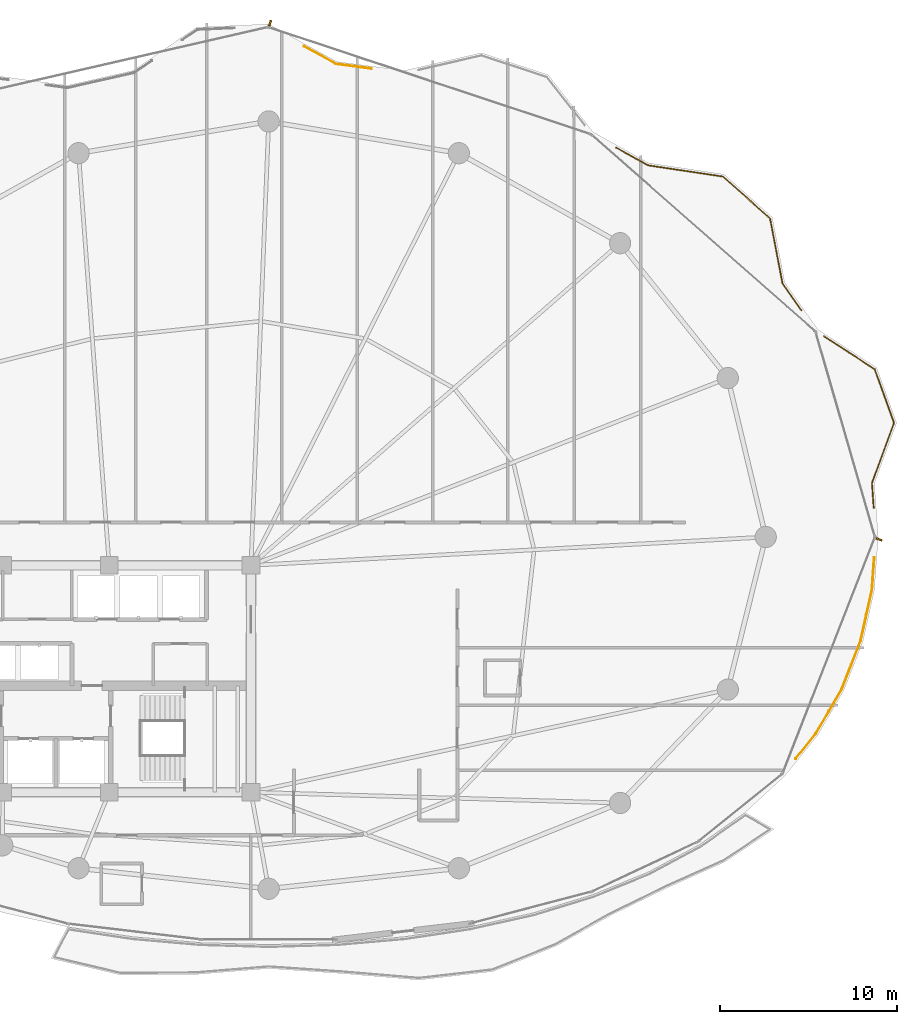
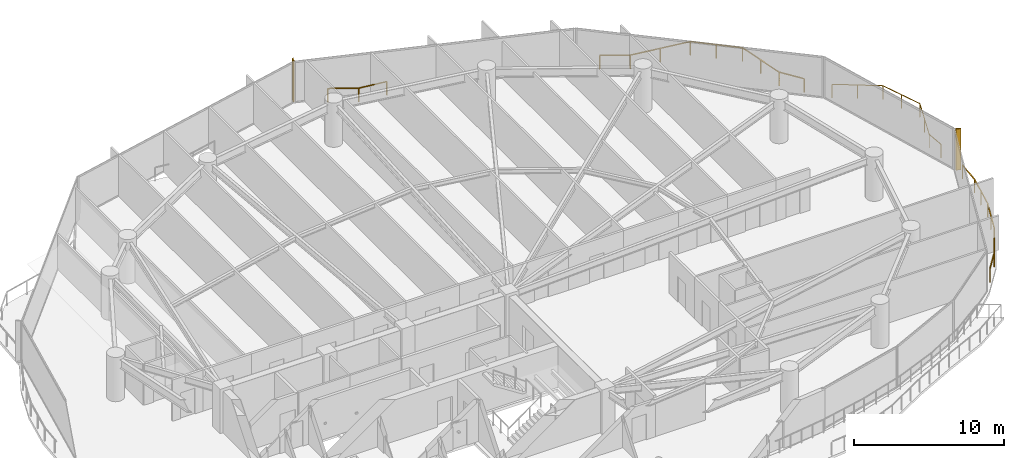
# One storey, part 34 of 34: 4 railings, 2 shading devices.
"""IFC4 building model written with IfcOpenShell, lengths in metres."""

from ifc_helpers import new_model, si_unit, direction, frame, origin, origin_2d, place, context, subcontext, project, spatial, rectangle, extrude, material, type_object, element, save


model = new_model("IFC4")

# Units and contexts
model_context = context("Model", 3, precision=1e-05, world=origin(), true_north=direction((0.0, 1.0)))
body_context = subcontext(model_context, "Body", "Model", "MODEL_VIEW")
ifc_project = project(units=[si_unit("LENGTHUNIT", "METRE"), si_unit("AREAUNIT", "SQUARE_METRE"), si_unit("VOLUMEUNIT", "CUBIC_METRE"), si_unit("PLANEANGLEUNIT", "RADIAN"), si_unit("MASSUNIT", "GRAM", prefix="KILO")], contexts=[model_context])

# Site, building, storey
site_placement = place(None, origin())
site = spatial("IfcSite", under=ifc_project, at=site_placement, CompositionType="ELEMENT")
building_placement = place(site_placement, origin())
building = spatial("IfcBuilding", under=site, at=building_placement, Name="Kazevale Care Tower and Concert Hall", CompositionType="ELEMENT")
storey_placement = place(building_placement, frame((0.0, 0.0, 167.39990234375)))
storey = spatial("IfcBuildingStorey", under=building, at=storey_placement, Name="L44", CompositionType="ELEMENT", Elevation=167.39990234375)

# Railings
ifc_material_1 = material(Name="Anodised Bronze Aluminium and Laminated Glass", Category="aluminium")
railing_type = type_object("IfcRailingType", Name="Balcony and Terrace Balustrade 1120", PredefinedType="BALUSTRADE", material=ifc_material_1)
railing_1_placement = place(storey_placement, frame((46.9970703125, 65.69091796875, 0.0)))
element("IfcRailing", 1, at=railing_1_placement, inside=storey, type_object=railing_type, Name="rail:L44:perim:7", PredefinedType="BALUSTRADE", context=body_context, shape_type="SweptSolid", body=[
    extrude(rectangle(XDim=0.048095703125, YDim=0.048095703125, at=origin_2d()), frame((0.0, 0.0, 1.09619140625), z_axis=(0.87612356574, -0.482086607939, 0.0), x_axis=(0.482086607939, 0.87612356574, 0.0)), (0.0, 0.0, 1.0), 2.065673828125),
    extrude(rectangle(XDim=0.048095703125, YDim=0.048095703125, at=origin_2d()), frame((1.809814453125, -0.995849609375, 1.09619140625), z_axis=(0.991221543474, -0.132211390405, 0.0), x_axis=(0.132211390405, 0.991221543474, 0.0)), (0.0, 0.0, 1.0), 2.0126953125),
    extrude(rectangle(XDim=0.0419921875, YDim=0.0419921875, at=origin_2d()), origin(), (0.0, 0.0, 1.0), 1.072021484375),
    extrude(rectangle(XDim=0.0419921875, YDim=0.0419921875, at=origin_2d()), frame((1.809814453125, -0.995849609375, 0.0)), (0.0, 0.0, 1.0), 1.072021484375),
    extrude(rectangle(XDim=0.0419921875, YDim=0.0419921875, at=origin_2d()), frame((3.804931640625, -1.261962890625, 0.0)), (0.0, 0.0, 1.0), 1.072021484375),
])
railing_2_placement = place(storey_placement, frame((64.614990234375, 59.969970703125, 0.0)))
element("IfcRailing", 2, at=railing_2_placement, inside=storey, type_object=railing_type, Name="rail:L44:perim:9", PredefinedType="BALUSTRADE", context=body_context, shape_type="SweptSolid", body=[
    extrude(rectangle(XDim=0.048095703125, YDim=0.048095703125, at=origin_2d()), frame((0.0, 0.0, 1.09619140625), z_axis=(0.873734672104, -0.486402840003, 0.0), x_axis=(0.486402840003, 0.873734672104, 0.0)), (0.0, 0.0, 1.0), 2.04541015625),
    extrude(rectangle(XDim=0.048095703125, YDim=0.048095703125, at=origin_2d()), frame((1.787109375, -0.994873046875, 1.09619140625), z_axis=(0.988889933801, -0.148649584013, 0.0), x_axis=(0.148649584013, 0.988889933801, 0.0)), (0.0, 0.0, 1.0), 4.28662109375),
    extrude(rectangle(XDim=0.048095703125, YDim=0.048095703125, at=origin_2d()), frame((6.026123046875, -1.632080078125, 1.09619140625), z_axis=(0.746657358329, -0.66520883131, 0.0), x_axis=(0.66520883131, 0.746657358329, 0.0)), (0.0, 0.0, 1.0), 3.549072265625),
    extrude(rectangle(XDim=0.048095703125, YDim=0.048095703125, at=origin_2d()), frame((8.676025390625, -3.992919921875, 1.09619140625), z_axis=(0.188517658656, -0.982069800154, 0.0), x_axis=(0.982069800154, 0.188517658656, 0.0)), (0.0, 0.0, 1.0), 3.73486328125),
    extrude(rectangle(XDim=0.048095703125, YDim=0.048095703125, at=origin_2d()), frame((9.380126953125, -7.660888671875, 1.09619140625), z_axis=(0.575885416581, -0.817530419599, 0.0), x_axis=(0.817530419599, 0.575885416581, 0.0)), (0.0, 0.0, 1.0), 1.850830078125),
    extrude(rectangle(XDim=0.0419921875, YDim=0.0419921875, at=origin_2d()), origin(), (0.0, 0.0, 1.0), 1.072021484375),
    extrude(rectangle(XDim=0.0419921875, YDim=0.0419921875, at=origin_2d()), frame((1.787109375, -0.994873046875, 0.0)), (0.0, 0.0, 1.0), 1.072021484375),
    extrude(rectangle(XDim=0.0419921875, YDim=0.0419921875, at=origin_2d()), frame((3.90673828125, -1.3134765625, 0.0)), (0.0, 0.0, 1.0), 1.072021484375),
    extrude(rectangle(XDim=0.0419921875, YDim=0.0419921875, at=origin_2d()), frame((6.026123046875, -1.632080078125, 0.0)), (0.0, 0.0, 1.0), 1.072021484375),
    extrude(rectangle(XDim=0.0419921875, YDim=0.0419921875, at=origin_2d()), frame((7.35107421875, -2.8125, 0.0)), (0.0, 0.0, 1.0), 1.072021484375),
    extrude(rectangle(XDim=0.0419921875, YDim=0.0419921875, at=origin_2d()), frame((8.676025390625, -3.992919921875, 0.0)), (0.0, 0.0, 1.0), 1.072021484375),
    extrude(rectangle(XDim=0.0419921875, YDim=0.0419921875, at=origin_2d()), frame((9.028076171875, -5.826904296875, 0.0)), (0.0, 0.0, 1.0), 1.072021484375),
    extrude(rectangle(XDim=0.0419921875, YDim=0.0419921875, at=origin_2d()), frame((9.380126953125, -7.660888671875, 0.0)), (0.0, 0.0, 1.0), 1.072021484375),
    extrude(rectangle(XDim=0.0419921875, YDim=0.0419921875, at=origin_2d()), frame((10.446044921875, -9.174072265625, 0.0)), (0.0, 0.0, 1.0), 1.072021484375),
])
railing_3_placement = place(storey_placement, frame((79.176025390625, 36.844970703125, 0.0)))
element("IfcRailing", 3, at=railing_3_placement, inside=storey, type_object=railing_type, Name="rail:L44:perim:10", PredefinedType="BALUSTRADE", context=body_context, shape_type="SweptSolid", body=[
    extrude(rectangle(XDim=0.048095703125, YDim=0.048095703125, at=origin_2d()), frame((0.0, 0.0, 1.09619140625), z_axis=(-0.071578588161, -0.997434963151, 0.0), x_axis=(0.997434963151, -0.071578588161, 0.0)), (0.0, 0.0, 1.0), 1.83154296875),
    extrude(rectangle(XDim=0.048095703125, YDim=0.048095703125, at=origin_2d()), frame((-0.131103515625, -1.826904296875, 1.09619140625), z_axis=(-0.217745961145, -0.9760054797, 0.0), x_axis=(0.9760054797, -0.217745961145, 0.0)), (0.0, 0.0, 1.0), 2.94775390625),
    extrude(rectangle(XDim=0.048095703125, YDim=0.048095703125, at=origin_2d()), frame((-0.77294921875, -4.703857421875, 1.09619140625), z_axis=(-0.363468066155, -0.931606657815, 0.0), x_axis=(0.931606657815, -0.363468066155, 0.0)), (0.0, 0.0, 1.0), 2.91650390625),
    extrude(rectangle(XDim=0.048095703125, YDim=0.048095703125, at=origin_2d()), frame((-1.8330078125, -7.4208984375, 1.09619140625), z_axis=(-0.502610267332, -0.864513111047, 0.0), x_axis=(0.864513111047, -0.502610267332, 0.0)), (0.0, 0.0, 1.0), 2.9150390625),
    extrude(rectangle(XDim=0.048095703125, YDim=0.048095703125, at=origin_2d()), frame((-3.298095703125, -9.94091796875, 1.09619140625), z_axis=(-0.628318296441, -0.777956373043, 0.0), x_axis=(0.777956373043, -0.628318296441, 0.0)), (0.0, 0.0, 1.0), 1.812744140625),
    extrude(rectangle(XDim=0.0419921875, YDim=0.0419921875, at=origin_2d()), origin(), (0.0, 0.0, 1.0), 1.072021484375),
    extrude(rectangle(XDim=0.0419921875, YDim=0.0419921875, at=origin_2d()), frame((-0.131103515625, -1.826904296875, 0.0)), (0.0, 0.0, 1.0), 1.072021484375),
    extrude(rectangle(XDim=0.0419921875, YDim=0.0419921875, at=origin_2d()), frame((-0.4521484375, -3.265380859375, 0.0)), (0.0, 0.0, 1.0), 1.072021484375),
    extrude(rectangle(XDim=0.0419921875, YDim=0.0419921875, at=origin_2d()), frame((-0.77294921875, -4.703857421875, 0.0)), (0.0, 0.0, 1.0), 1.072021484375),
    extrude(rectangle(XDim=0.0419921875, YDim=0.0419921875, at=origin_2d()), frame((-1.302978515625, -6.0625, 0.0)), (0.0, 0.0, 1.0), 1.072021484375),
    extrude(rectangle(XDim=0.0419921875, YDim=0.0419921875, at=origin_2d()), frame((-1.8330078125, -7.4208984375, 0.0)), (0.0, 0.0, 1.0), 1.072021484375),
    extrude(rectangle(XDim=0.0419921875, YDim=0.0419921875, at=origin_2d()), frame((-2.5654296875, -8.680908203125, 0.0)), (0.0, 0.0, 1.0), 1.072021484375),
    extrude(rectangle(XDim=0.0419921875, YDim=0.0419921875, at=origin_2d()), frame((-3.298095703125, -9.94091796875, 0.0)), (0.0, 0.0, 1.0), 1.072021484375),
    extrude(rectangle(XDim=0.0419921875, YDim=0.0419921875, at=origin_2d()), frame((-4.43701171875, -11.35107421875, 0.0)), (0.0, 0.0, 1.0), 1.072021484375),
])
railing_4_placement = place(storey_placement, frame((76.3359375, 49.324951171875, 0.0)))
element("IfcRailing", 4, at=railing_4_placement, inside=storey, type_object=railing_type, Name="rail:L44:perim:11", PredefinedType="BALUSTRADE", context=body_context, shape_type="SweptSolid", body=[
    extrude(rectangle(XDim=0.048095703125, YDim=0.048095703125, at=origin_2d()), frame((0.0, 0.0, 1.09619140625), z_axis=(0.838906479955, -0.544275590018, 0.0), x_axis=(0.544275590018, 0.838906479955, 0.0)), (0.0, 0.0, 1.0), 3.408203125),
    extrude(rectangle(XDim=0.048095703125, YDim=0.048095703125, at=origin_2d()), frame((2.859130859375, -1.85498046875, 1.09619140625), z_axis=(0.340056192401, -0.940405118026, 0.0), x_axis=(0.940405118026, 0.340056192401, 0.0)), (0.0, 0.0, 1.0), 3.219970703125),
    extrude(rectangle(XDim=0.048095703125, YDim=0.048095703125, at=origin_2d()), frame((3.9541015625, -4.883056640625, 1.09619140625), z_axis=(-0.344686514971, -0.938717852391, 0.0), x_axis=(0.938717852391, -0.344686514971, 0.0)), (0.0, 0.0, 1.0), 3.620849609375),
    extrude(rectangle(XDim=0.048095703125, YDim=0.048095703125, at=origin_2d()), frame((2.7060546875, -8.281982421875, 1.09619140625), z_axis=(0.071504807896, -0.997440255077, 0.0), x_axis=(0.997440255077, 0.071504807896, 0.0)), (0.0, 0.0, 1.0), 1.41357421875),
    extrude(rectangle(XDim=0.0419921875, YDim=0.0419921875, at=origin_2d()), origin(), (0.0, 0.0, 1.0), 1.072021484375),
    extrude(rectangle(XDim=0.0419921875, YDim=0.0419921875, at=origin_2d()), frame((1.4296875, -0.927490234375, 0.0)), (0.0, 0.0, 1.0), 1.072021484375),
    extrude(rectangle(XDim=0.0419921875, YDim=0.0419921875, at=origin_2d()), frame((2.859130859375, -1.85498046875, 0.0)), (0.0, 0.0, 1.0), 1.072021484375),
    extrude(rectangle(XDim=0.0419921875, YDim=0.0419921875, at=origin_2d()), frame((3.40673828125, -3.369140625, 0.0)), (0.0, 0.0, 1.0), 1.072021484375),
    extrude(rectangle(XDim=0.0419921875, YDim=0.0419921875, at=origin_2d()), frame((3.9541015625, -4.883056640625, 0.0)), (0.0, 0.0, 1.0), 1.072021484375),
    extrude(rectangle(XDim=0.0419921875, YDim=0.0419921875, at=origin_2d()), frame((3.330078125, -6.58251953125, 0.0)), (0.0, 0.0, 1.0), 1.072021484375),
    extrude(rectangle(XDim=0.0419921875, YDim=0.0419921875, at=origin_2d()), frame((2.7060546875, -8.281982421875, 0.0)), (0.0, 0.0, 1.0), 1.072021484375),
    extrude(rectangle(XDim=0.0419921875, YDim=0.0419921875, at=origin_2d()), frame((2.80712890625, -9.69189453125, 0.0)), (0.0, 0.0, 1.0), 1.072021484375),
])

# Shading devices
ifc_material_2 = material(Name="Anodised Bronze Aluminium", Category="aluminium")
shading_device_type = type_object("IfcShadingDeviceType", Name="Waist Anodised Bronze-Stone Fin FIN-02", PredefinedType="USERDEFINED", material=ifc_material_2)
for number, where, z_axis, x_axis, name in (
    (5, (79.44384765625, 37.869384765625, 0.0), (0.0, 0.0, 1.0), (0.931373876365, -0.364064146031, 0.0), "cw:L44:f01:fin"),
    (6, (45.07666015625, 66.998291015625, 0.0), (0.0, 0.0, 1.0), (0.314820866332, 0.949151106053, 0.0), "cw:L44:f16:fin"),
):
    element("IfcShadingDevice", number, at=place(storey_placement, frame(where, z_axis=z_axis, x_axis=x_axis)), inside=storey, type_object=shading_device_type, Name=name, ObjectType="FIN", PredefinedType="USERDEFINED", context=body_context, shape_type="SweptSolid", body=[
        extrude(rectangle(XDim=0.340087890625, YDim=0.10009765625, at=origin_2d()), origin(), (0.0, 0.0, 1.0), 3.360107421875),
    ])

save(model, "model.ifc")
